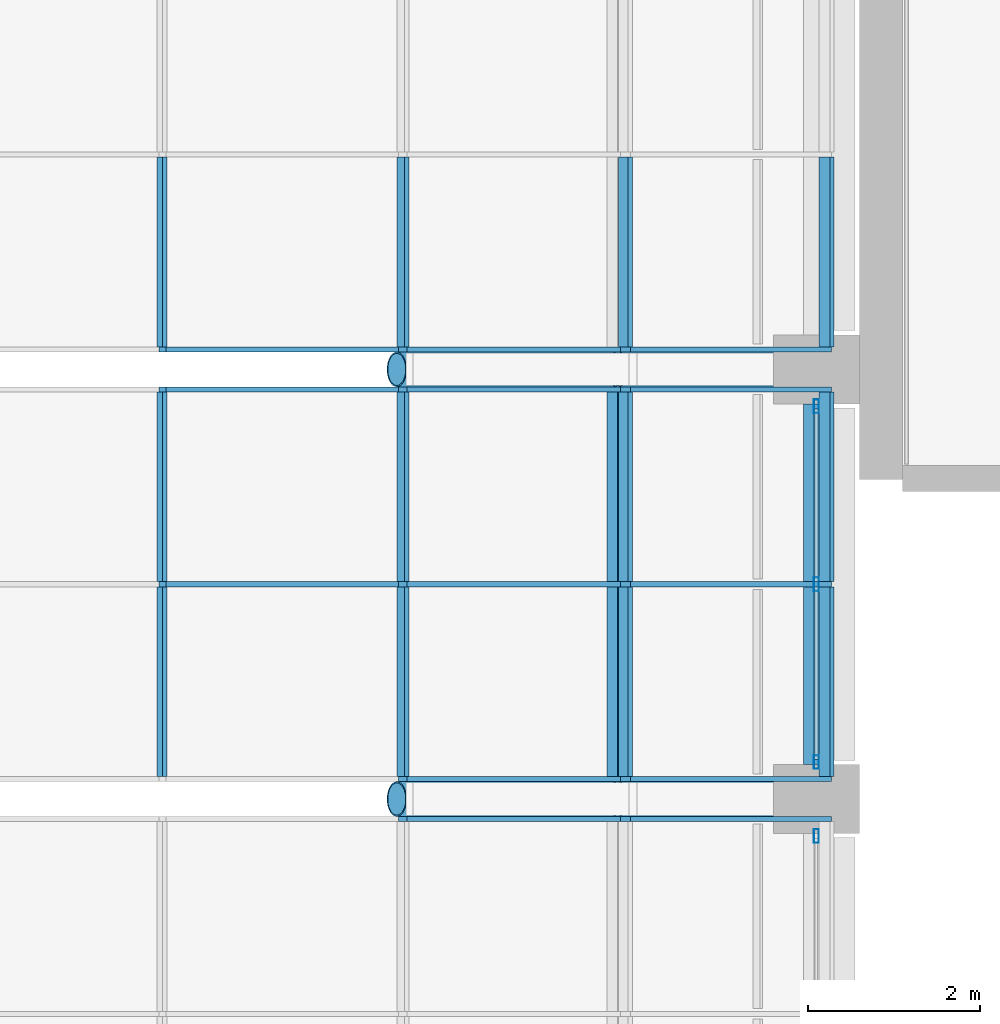
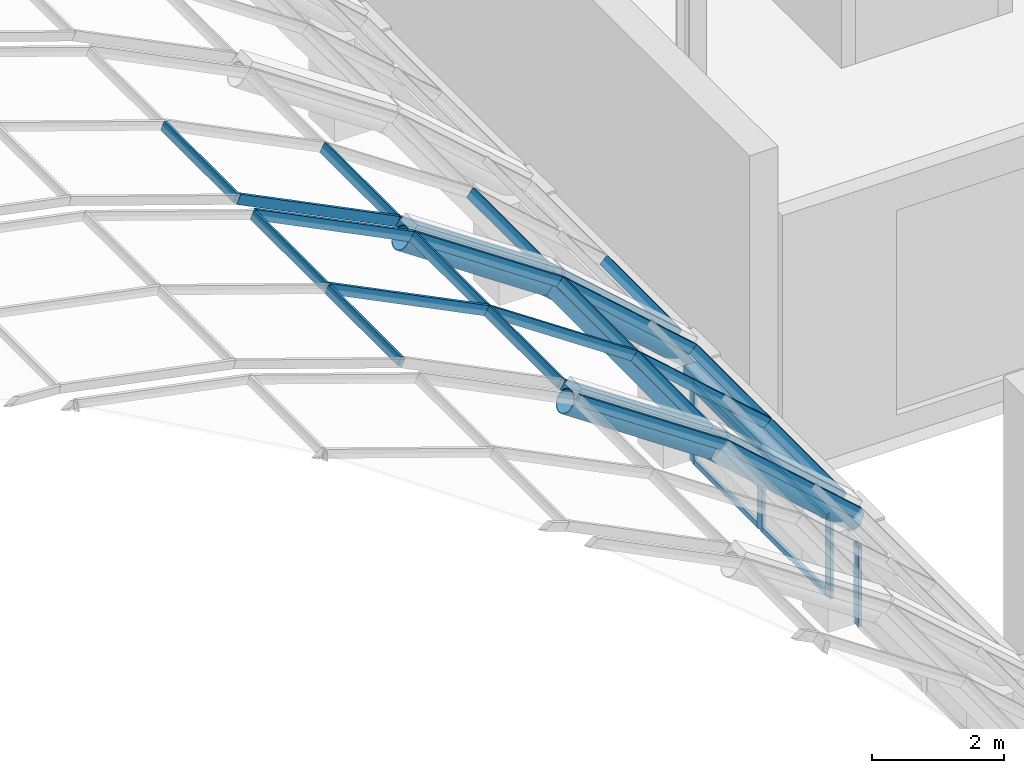
# One storey, part 57 of 182: 38 members, 1 beam, 5 elements without a shape of their own.
"""IFC4 building model written with IfcOpenShell, lengths in metres."""

from ifc_helpers import new_model, si_unit, direction, frame, origin, origin_2d, place, context, subcontext, project, spatial, rectangle, hollow_rectangle, hollow_circle, extrude, material, material_profile, profile_set, type_object, element, aggregate, save


model = new_model("IFC4")

# Units and contexts
model_context = context("Model", 3, precision=1e-05, world=origin(), true_north=direction((0.0, 1.0)))
body_context = subcontext(model_context, "Body", "Model", "MODEL_VIEW")
ifc_project = project(units=[si_unit("LENGTHUNIT", "METRE"), si_unit("AREAUNIT", "SQUARE_METRE"), si_unit("VOLUMEUNIT", "CUBIC_METRE"), si_unit("PLANEANGLEUNIT", "RADIAN"), si_unit("MASSUNIT", "GRAM", prefix="KILO")], contexts=[model_context])

# Site, building, storey
site_placement = place(None, origin())
site = spatial("IfcSite", under=ifc_project, at=site_placement, CompositionType="ELEMENT")
building_placement = place(site_placement, origin())
building = spatial("IfcBuilding", under=site, at=building_placement, Name="Okhra Congress Centre", CompositionType="ELEMENT")
storey_placement = place(building_placement, frame((0.0, 0.0, 7.199951171875)))
storey = spatial("IfcBuildingStorey", under=building, at=storey_placement, Name="L01", CompositionType="ELEMENT", Elevation=7.199951171875)

# Curtain wall, members
ifc_material_1 = material(Name="Aluminium frame with triple glazing", Category="aluminium")
curtain_wall_type_1 = type_object("IfcCurtainWallType", Name="Glazed vault bay curtain wall", PredefinedType="NOTDEFINED", material=ifc_material_1)
curtain_wall_1_placement = place(storey_placement, origin())
curtain_wall_1 = element("IfcCurtainWall", 1, at=curtain_wall_1_placement, inside=storey, type_object=curtain_wall_type_1, Name="Vault glazing bay 14", PredefinedType="NOTDEFINED")
ifc_material_2 = material(Name="Aluminium alloy 6063", Category="aluminium")
ifc_material_profile_1 = material_profile(ifc_material_2, rectangle(XDim=0.06005859375, YDim=0.179931640625, at=origin_2d()), Name="AL 60x180")
ifc_profile_set_1 = profile_set([ifc_material_profile_1], Name="Aluminium alloy 6063")
member_type_1 = type_object("IfcMemberType", Name="Aluminium mullion 60x180", PredefinedType="MULLION", material=ifc_profile_set_1)
member_1_placement = place(storey_placement, frame((184.188720703125, 145.766845703125, 5.7392578125), z_axis=(0.828827846338, 0.0, -0.559503709671), x_axis=(0.0, 1.0, 0.0)))
member_1 = element("IfcMember", 2, at=member_1_placement, type_object=member_type_1, Name="Vault mullion 14.3.11", PredefinedType="MULLION", context=body_context, shape_type="SweptSolid", body=[
    extrude(rectangle(XDim=0.06005859375, YDim=0.179931640625, at=origin_2d()), origin(), (0.0, 0.0, 1.0), 3.12548828125),
])
member_2_placement = place(storey_placement, frame((186.779296875, 145.766845703125, 3.990478515625), z_axis=(0.748025229923, 0.0, -0.663670291183), x_axis=(0.0, 1.0, 0.0)))
member_2 = element("IfcMember", 3, at=member_2_placement, type_object=member_type_1, Name="Vault mullion 14.3.12", PredefinedType="MULLION", context=body_context, shape_type="SweptSolid", body=[
    extrude(rectangle(XDim=0.06005859375, YDim=0.179931640625, at=origin_2d()), origin(), (0.0, 0.0, 1.0), 3.125732421875),
])
aggregate(curtain_wall_1, [member_1, member_2])

curtain_wall_2_placement = place(storey_placement, origin())
curtain_wall_2 = element("IfcCurtainWall", 4, at=curtain_wall_2_placement, inside=storey, type_object=curtain_wall_type_1, Name="Vault glazing bay 15", PredefinedType="NOTDEFINED")
member_3_placement = place(storey_placement, frame((184.188720703125, 146.233154296875, 5.7392578125), z_axis=(0.828827846338, 0.0, -0.559503709671), x_axis=(0.0, 1.0, 0.0)))
member_3 = element("IfcMember", 5, at=member_3_placement, type_object=member_type_1, Name="Vault mullion 15.1.11", PredefinedType="MULLION", context=body_context, shape_type="SweptSolid", body=[
    extrude(rectangle(XDim=0.06005859375, YDim=0.179931640625, at=origin_2d()), origin(), (0.0, 0.0, 1.0), 3.12548828125),
])
member_4_placement = place(storey_placement, frame((186.779296875, 146.233154296875, 3.990478515625), z_axis=(0.748025229923, 0.0, -0.663670291183), x_axis=(0.0, 1.0, 0.0)))
member_4 = element("IfcMember", 6, at=member_4_placement, type_object=member_type_1, Name="Vault mullion 15.1.12", PredefinedType="MULLION", context=body_context, shape_type="SweptSolid", body=[
    extrude(rectangle(XDim=0.06005859375, YDim=0.179931640625, at=origin_2d()), origin(), (0.0, 0.0, 1.0), 3.125732421875),
])
member_5_placement = place(storey_placement, frame((181.390625, 148.5, 7.1318359375), z_axis=(0.895253656313, 0.0, -0.445556832354), x_axis=(0.0, 1.0, 0.0)))
member_5 = element("IfcMember", 7, at=member_5_placement, type_object=member_type_1, Name="Vault mullion 15.2.10", PredefinedType="MULLION", context=body_context, shape_type="SweptSolid", body=[
    extrude(rectangle(XDim=0.06005859375, YDim=0.179931640625, at=origin_2d()), origin(), (0.0, 0.0, 1.0), 3.12548828125),
])
member_6_placement = place(storey_placement, frame((184.188720703125, 148.5, 5.7392578125), z_axis=(0.828827846338, 0.0, -0.559503709671), x_axis=(0.0, 1.0, 0.0)))
member_6 = element("IfcMember", 8, at=member_6_placement, type_object=member_type_1, Name="Vault mullion 15.2.11", PredefinedType="MULLION", context=body_context, shape_type="SweptSolid", body=[
    extrude(rectangle(XDim=0.06005859375, YDim=0.179931640625, at=origin_2d()), origin(), (0.0, 0.0, 1.0), 3.12548828125),
])
member_7_placement = place(storey_placement, frame((186.779296875, 148.5, 3.990478515625), z_axis=(0.748025229923, 0.0, -0.663670291183), x_axis=(0.0, 1.0, 0.0)))
member_7 = element("IfcMember", 9, at=member_7_placement, type_object=member_type_1, Name="Vault mullion 15.2.12", PredefinedType="MULLION", context=body_context, shape_type="SweptSolid", body=[
    extrude(rectangle(XDim=0.06005859375, YDim=0.179931640625, at=origin_2d()), origin(), (0.0, 0.0, 1.0), 3.125732421875),
])
member_8_placement = place(storey_placement, frame((181.390625, 150.766845703125, 7.1318359375), z_axis=(0.895253656313, 0.0, -0.445556832354), x_axis=(0.0, 1.0, 0.0)))
member_8 = element("IfcMember", 10, at=member_8_placement, type_object=member_type_1, Name="Vault mullion 15.3.10", PredefinedType="MULLION", context=body_context, shape_type="SweptSolid", body=[
    extrude(rectangle(XDim=0.06005859375, YDim=0.179931640625, at=origin_2d()), origin(), (0.0, 0.0, 1.0), 3.12548828125),
])
member_9_placement = place(storey_placement, frame((184.188720703125, 150.766845703125, 5.7392578125), z_axis=(0.828827846338, 0.0, -0.559503709671), x_axis=(0.0, 1.0, 0.0)))
member_9 = element("IfcMember", 11, at=member_9_placement, type_object=member_type_1, Name="Vault mullion 15.3.11", PredefinedType="MULLION", context=body_context, shape_type="SweptSolid", body=[
    extrude(rectangle(XDim=0.06005859375, YDim=0.179931640625, at=origin_2d()), origin(), (0.0, 0.0, 1.0), 3.12548828125),
])
member_10_placement = place(storey_placement, frame((186.779296875, 150.766845703125, 3.990478515625), z_axis=(0.748025229923, 0.0, -0.663670291183), x_axis=(0.0, 1.0, 0.0)))
member_10 = element("IfcMember", 12, at=member_10_placement, type_object=member_type_1, Name="Vault mullion 15.3.12", PredefinedType="MULLION", context=body_context, shape_type="SweptSolid", body=[
    extrude(rectangle(XDim=0.06005859375, YDim=0.179931640625, at=origin_2d()), origin(), (0.0, 0.0, 1.0), 3.125732421875),
])

curtain_wall_3_placement = place(storey_placement, origin())
curtain_wall_3 = element("IfcCurtainWall", 13, at=curtain_wall_3_placement, inside=storey, type_object=curtain_wall_type_1, Name="Vault glazing bay 16", PredefinedType="NOTDEFINED")
member_11_placement = place(storey_placement, frame((181.390625, 151.233154296875, 7.1318359375), z_axis=(0.895253656313, 0.0, -0.445556832354), x_axis=(0.0, 1.0, 0.0)))
member_11 = element("IfcMember", 14, at=member_11_placement, type_object=member_type_1, Name="Vault mullion 16.1.10", PredefinedType="MULLION", context=body_context, shape_type="SweptSolid", body=[
    extrude(rectangle(XDim=0.06005859375, YDim=0.179931640625, at=origin_2d()), origin(), (0.0, 0.0, 1.0), 3.12548828125),
])
member_12_placement = place(storey_placement, frame((184.188720703125, 151.233154296875, 5.7392578125), z_axis=(0.828827846338, 0.0, -0.559503709671), x_axis=(0.0, 1.0, 0.0)))
member_12 = element("IfcMember", 15, at=member_12_placement, type_object=member_type_1, Name="Vault mullion 16.1.11", PredefinedType="MULLION", context=body_context, shape_type="SweptSolid", body=[
    extrude(rectangle(XDim=0.06005859375, YDim=0.179931640625, at=origin_2d()), origin(), (0.0, 0.0, 1.0), 3.12548828125),
])
member_13_placement = place(storey_placement, frame((186.779296875, 151.233154296875, 3.990478515625), z_axis=(0.748025229923, 0.0, -0.663670291183), x_axis=(0.0, 1.0, 0.0)))
member_13 = element("IfcMember", 16, at=member_13_placement, type_object=member_type_1, Name="Vault mullion 16.1.12", PredefinedType="MULLION", context=body_context, shape_type="SweptSolid", body=[
    extrude(rectangle(XDim=0.06005859375, YDim=0.179931640625, at=origin_2d()), origin(), (0.0, 0.0, 1.0), 3.125732421875),
])

# Member
ifc_material_profile_2 = material_profile(ifc_material_2, rectangle(XDim=0.06005859375, YDim=0.159912109375, at=origin_2d()), Name="AL 60x160 transom")
ifc_profile_set_2 = profile_set([ifc_material_profile_2], Name="Aluminium alloy 6063")
member_type_2 = type_object("IfcMemberType", Name="Aluminium transom 60x160", PredefinedType="USERDEFINED", material=ifc_profile_set_2)
member_14_placement = place(storey_placement, frame((181.38671875, 146.26318359375, 7.12255859375), z_axis=(0.0, 1.0, 0.0), x_axis=(-0.922668973833, 0.0, 0.38559300399)))
member_14 = element("IfcMember", 17, at=member_14_placement, type_object=member_type_2, Name="Vault transom 15.1.10", ObjectType="TRANSOM", PredefinedType="USERDEFINED", context=body_context, shape_type="SweptSolid", body=[
    extrude(rectangle(XDim=0.06005859375, YDim=0.159912109375, at=origin_2d()), origin(), (0.0, 0.0, 1.0), 2.206787109375),
])

member_15_placement = place(storey_placement, frame((181.38671875, 148.530029296875, 7.12255859375), z_axis=(0.0, 1.0, 0.0), x_axis=(-0.922668973833, 0.0, 0.38559300399)))
member_15 = element("IfcMember", 18, at=member_15_placement, type_object=member_type_2, Name="Vault transom 15.2.10", ObjectType="TRANSOM", PredefinedType="USERDEFINED", context=body_context, shape_type="SweptSolid", body=[
    extrude(rectangle(XDim=0.06005859375, YDim=0.159912109375, at=origin_2d()), origin(), (0.0, 0.0, 1.0), 2.206787109375),
])

member_16_placement = place(storey_placement, frame((181.38671875, 151.26318359375, 7.12255859375), z_axis=(0.0, 1.0, 0.0), x_axis=(-0.922668973833, 0.0, 0.38559300399)))
member_16 = element("IfcMember", 19, at=member_16_placement, type_object=member_type_2, Name="Vault transom 16.1.10", ObjectType="TRANSOM", PredefinedType="USERDEFINED", context=body_context, shape_type="SweptSolid", body=[
    extrude(rectangle(XDim=0.06005859375, YDim=0.159912109375, at=origin_2d()), origin(), (0.0, 0.0, 1.0), 2.206787109375),
])

ifc_material_profile_3 = material_profile(ifc_material_2, rectangle(XDim=0.06005859375, YDim=0.179931640625, at=origin_2d()), Name="AL 60x180 transom")
ifc_profile_set_3 = profile_set([ifc_material_profile_3], Name="Aluminium alloy 6063")
member_type_3 = type_object("IfcMemberType", Name="Aluminium transom 60x180", PredefinedType="USERDEFINED", material=ifc_profile_set_3)
member_17_placement = place(storey_placement, frame((184.188720703125, 146.26318359375, 5.7392578125), z_axis=(0.0, 1.0, 0.0), x_axis=(-0.86391685861, 0.0, 0.503634452167)))
member_17 = element("IfcMember", 20, at=member_17_placement, type_object=member_type_3, Name="Vault transom 15.1.11", ObjectType="TRANSOM", PredefinedType="USERDEFINED", context=body_context, shape_type="SweptSolid", body=[
    extrude(rectangle(XDim=0.06005859375, YDim=0.179931640625, at=origin_2d()), origin(), (0.0, 0.0, 1.0), 2.206787109375),
])

member_18_placement = place(storey_placement, frame((186.779296875, 146.26318359375, 3.990478515625), z_axis=(0.0, 1.0, 0.0), x_axis=(-0.790145035185, 0.0, 0.612919915954)))
member_18 = element("IfcMember", 21, at=member_18_placement, type_object=member_type_3, Name="Vault transom 15.1.12", ObjectType="TRANSOM", PredefinedType="USERDEFINED", context=body_context, shape_type="SweptSolid", body=[
    extrude(rectangle(XDim=0.06005859375, YDim=0.179931640625, at=origin_2d()), origin(), (0.0, 0.0, 1.0), 2.206787109375),
])

member_19_placement = place(storey_placement, frame((189.117431640625, 146.26318359375, 1.916015625), z_axis=(0.0, 1.0, 0.0), x_axis=(-0.702636070549, 0.0, 0.711549402616)))
member_19 = element("IfcMember", 22, at=member_19_placement, type_object=member_type_3, Name="Vault transom 15.1.13", ObjectType="TRANSOM", PredefinedType="USERDEFINED", context=body_context, shape_type="SweptSolid", body=[
    extrude(rectangle(XDim=0.06005859375, YDim=0.179931640625, at=origin_2d()), origin(), (0.0, 0.0, 1.0), 2.206787109375),
])

member_20_placement = place(storey_placement, frame((184.188720703125, 148.530029296875, 5.7392578125), z_axis=(0.0, 1.0, 0.0), x_axis=(-0.86391685861, 0.0, 0.503634452167)))
member_20 = element("IfcMember", 23, at=member_20_placement, type_object=member_type_3, Name="Vault transom 15.2.11", ObjectType="TRANSOM", PredefinedType="USERDEFINED", context=body_context, shape_type="SweptSolid", body=[
    extrude(rectangle(XDim=0.06005859375, YDim=0.179931640625, at=origin_2d()), origin(), (0.0, 0.0, 1.0), 2.206787109375),
])

member_21_placement = place(storey_placement, frame((186.779296875, 148.530029296875, 3.990478515625), z_axis=(0.0, 1.0, 0.0), x_axis=(-0.790145035185, 0.0, 0.612919915954)))
member_21 = element("IfcMember", 24, at=member_21_placement, type_object=member_type_3, Name="Vault transom 15.2.12", ObjectType="TRANSOM", PredefinedType="USERDEFINED", context=body_context, shape_type="SweptSolid", body=[
    extrude(rectangle(XDim=0.06005859375, YDim=0.179931640625, at=origin_2d()), origin(), (0.0, 0.0, 1.0), 2.206787109375),
])

member_22_placement = place(storey_placement, frame((189.117431640625, 148.530029296875, 1.916015625), z_axis=(0.0, 1.0, 0.0), x_axis=(-0.702636070549, 0.0, 0.711549402616)))
member_22 = element("IfcMember", 25, at=member_22_placement, type_object=member_type_3, Name="Vault transom 15.2.13", ObjectType="TRANSOM", PredefinedType="USERDEFINED", context=body_context, shape_type="SweptSolid", body=[
    extrude(rectangle(XDim=0.06005859375, YDim=0.179931640625, at=origin_2d()), origin(), (0.0, 0.0, 1.0), 2.206787109375),
])

aggregate(curtain_wall_2, [member_3, member_4, member_5, member_6, member_7, member_8, member_9, member_10, member_14, member_17, member_18, member_19, member_15, member_20, member_21, member_22])

member_23_placement = place(storey_placement, frame((184.188720703125, 151.26318359375, 5.7392578125), z_axis=(0.0, 1.0, 0.0), x_axis=(-0.86391685861, 0.0, 0.503634452167)))
member_23 = element("IfcMember", 26, at=member_23_placement, type_object=member_type_3, Name="Vault transom 16.1.11", ObjectType="TRANSOM", PredefinedType="USERDEFINED", context=body_context, shape_type="SweptSolid", body=[
    extrude(rectangle(XDim=0.06005859375, YDim=0.179931640625, at=origin_2d()), origin(), (0.0, 0.0, 1.0), 2.206787109375),
])

member_24_placement = place(storey_placement, frame((186.779296875, 151.26318359375, 3.990478515625), z_axis=(0.0, 1.0, 0.0), x_axis=(-0.790145035185, 0.0, 0.612919915954)))
member_24 = element("IfcMember", 27, at=member_24_placement, type_object=member_type_3, Name="Vault transom 16.1.12", ObjectType="TRANSOM", PredefinedType="USERDEFINED", context=body_context, shape_type="SweptSolid", body=[
    extrude(rectangle(XDim=0.06005859375, YDim=0.179931640625, at=origin_2d()), origin(), (0.0, 0.0, 1.0), 2.206787109375),
])

member_25_placement = place(storey_placement, frame((189.117431640625, 151.26318359375, 1.916015625), z_axis=(0.0, 1.0, 0.0), x_axis=(-0.702636070549, 0.0, 0.711549402616)))
member_25 = element("IfcMember", 28, at=member_25_placement, type_object=member_type_3, Name="Vault transom 16.1.13", ObjectType="TRANSOM", PredefinedType="USERDEFINED", context=body_context, shape_type="SweptSolid", body=[
    extrude(rectangle(XDim=0.06005859375, YDim=0.179931640625, at=origin_2d()), origin(), (0.0, 0.0, 1.0), 2.206787109375),
])

aggregate(curtain_wall_3, [member_11, member_12, member_13, member_16, member_23, member_24, member_25])

# Curtain wall, member
ifc_material_3 = material(Name="Aluminium curtain wall, triple glazing", Category="aluminium")
curtain_wall_type_2 = type_object("IfcCurtainWallType", Name="Curtain wall 2100 module", PredefinedType="NOTDEFINED", material=ifc_material_3)
curtain_wall_4_placement = place(storey_placement, origin())
curtain_wall_4 = element("IfcCurtainWall", 29, at=curtain_wall_4_placement, inside=storey, type_object=curtain_wall_type_2, Name="East bay 5 clerestory glazing", PredefinedType="NOTDEFINED")
ifc_material_4 = material(Name="Aluminium alloy EN AW-6063 T66", Category="aluminium")
ifc_material_profile_4 = material_profile(ifc_material_4, hollow_rectangle(XDim=0.06005859375, YDim=0.159912109375, WallThickness=0.00390625, at=origin_2d()), Name="RHS 60x160x4")
ifc_profile_set_4 = profile_set([ifc_material_profile_4], Name="Aluminium alloy EN AW-6063 T66")
member_type_4 = type_object("IfcMemberType", Name="Curtain wall mullion 60x160", PredefinedType="MULLION", material=ifc_profile_set_4)
member_26_placement = place(storey_placement, frame((189.0, 145.570068359375, 0.0), z_axis=(0.0, 0.0, 1.0), x_axis=(-1.0, 0.0, 0.0)))
member_26 = element("IfcMember", 30, at=member_26_placement, type_object=member_type_4, Name="CW4 mullion 3", PredefinedType="MULLION", context=body_context, shape_type="SweptSolid", body=[
    extrude(hollow_rectangle(XDim=0.06005859375, YDim=0.159912109375, WallThickness=0.00390625, at=origin_2d()), origin(), (0.0, 0.0, 1.0), 1.5),
])
aggregate(curtain_wall_4, [member_26])

# Curtain wall, members
curtain_wall_5_placement = place(storey_placement, origin())
curtain_wall_5 = element("IfcCurtainWall", 31, at=curtain_wall_5_placement, inside=storey, type_object=curtain_wall_type_2, Name="East bay 6 clerestory glazing", PredefinedType="NOTDEFINED")
member_27_placement = place(storey_placement, frame((189.0, 146.429931640625, 0.0), z_axis=(0.0, 0.0, 1.0), x_axis=(-1.0, 0.0, 0.0)))
member_27 = element("IfcMember", 32, at=member_27_placement, type_object=member_type_4, Name="CW4 mullion 1", PredefinedType="MULLION", context=body_context, shape_type="SweptSolid", body=[
    extrude(hollow_rectangle(XDim=0.06005859375, YDim=0.159912109375, WallThickness=0.00390625, at=origin_2d()), origin(), (0.0, 0.0, 1.0), 1.5),
])
member_28_placement = place(storey_placement, frame((189.0, 148.5, 0.0), z_axis=(0.0, 0.0, 1.0), x_axis=(-1.0, 0.0, 0.0)))
member_28 = element("IfcMember", 33, at=member_28_placement, type_object=member_type_4, Name="CW4 mullion 2", PredefinedType="MULLION", context=body_context, shape_type="SweptSolid", body=[
    extrude(hollow_rectangle(XDim=0.06005859375, YDim=0.159912109375, WallThickness=0.00390625, at=origin_2d()), origin(), (0.0, 0.0, 1.0), 1.5),
])
member_29_placement = place(storey_placement, frame((189.0, 150.570068359375, 0.0), z_axis=(0.0, 0.0, 1.0), x_axis=(-1.0, 0.0, 0.0)))
member_29 = element("IfcMember", 34, at=member_29_placement, type_object=member_type_4, Name="CW4 mullion 3", PredefinedType="MULLION", context=body_context, shape_type="SweptSolid", body=[
    extrude(hollow_rectangle(XDim=0.06005859375, YDim=0.159912109375, WallThickness=0.00390625, at=origin_2d()), origin(), (0.0, 0.0, 1.0), 1.5),
])
ifc_material_profile_5 = material_profile(ifc_material_4, hollow_rectangle(XDim=0.06005859375, YDim=0.10009765625, WallThickness=0.00390625, at=origin_2d()), Name="RHS 60x100x4")
ifc_profile_set_5 = profile_set([ifc_material_profile_5], Name="Aluminium alloy EN AW-6063 T66")
member_type_5 = type_object("IfcMemberType", Name="Curtain wall transom 60x100", PredefinedType="USERDEFINED", material=ifc_profile_set_5)
member_30_placement = place(storey_placement, frame((189.0, 146.4599609375, 0.030029296875), z_axis=(0.0, 1.0, 0.0), x_axis=(-1.0, 0.0, 0.0)))
member_30 = element("IfcMember", 35, at=member_30_placement, type_object=member_type_5, Name="CW4 transom 1.1", ObjectType="TRANSOM", PredefinedType="USERDEFINED", context=body_context, shape_type="SweptSolid", body=[
    extrude(hollow_rectangle(XDim=0.06005859375, YDim=0.10009765625, WallThickness=0.00390625, at=origin_2d()), origin(), (0.0, 0.0, 1.0), 2.010009765625),
])
member_31_placement = place(storey_placement, frame((189.0, 146.4599609375, 1.469970703125), z_axis=(0.0, 1.0, 0.0), x_axis=(-1.0, 0.0, 0.0)))
member_31 = element("IfcMember", 36, at=member_31_placement, type_object=member_type_5, Name="CW4 transom 1.2", ObjectType="TRANSOM", PredefinedType="USERDEFINED", context=body_context, shape_type="SweptSolid", body=[
    extrude(hollow_rectangle(XDim=0.06005859375, YDim=0.10009765625, WallThickness=0.00390625, at=origin_2d()), origin(), (0.0, 0.0, 1.0), 2.010009765625),
])
member_32_placement = place(storey_placement, frame((189.0, 148.530029296875, 0.030029296875), z_axis=(0.0, 1.0, 0.0), x_axis=(-1.0, 0.0, 0.0)))
member_32 = element("IfcMember", 37, at=member_32_placement, type_object=member_type_5, Name="CW4 transom 2.1", ObjectType="TRANSOM", PredefinedType="USERDEFINED", context=body_context, shape_type="SweptSolid", body=[
    extrude(hollow_rectangle(XDim=0.06005859375, YDim=0.10009765625, WallThickness=0.00390625, at=origin_2d()), origin(), (0.0, 0.0, 1.0), 2.010009765625),
])
member_33_placement = place(storey_placement, frame((189.0, 148.530029296875, 1.469970703125), z_axis=(0.0, 1.0, 0.0), x_axis=(-1.0, 0.0, 0.0)))
member_33 = element("IfcMember", 38, at=member_33_placement, type_object=member_type_5, Name="CW4 transom 2.2", ObjectType="TRANSOM", PredefinedType="USERDEFINED", context=body_context, shape_type="SweptSolid", body=[
    extrude(hollow_rectangle(XDim=0.06005859375, YDim=0.10009765625, WallThickness=0.00390625, at=origin_2d()), origin(), (0.0, 0.0, 1.0), 2.010009765625),
])
aggregate(curtain_wall_5, [member_27, member_28, member_29, member_30, member_31, member_32, member_33])

# Beam
ifc_material_5 = material(Name="Steel S355J2", Category="steel")
ifc_material_profile_6 = material_profile(ifc_material_5, hollow_rectangle(XDim=0.300048828125, YDim=0.300048828125, WallThickness=0.012451171875, at=origin_2d()), Name="RHS 300x300x12.5")
ifc_profile_set_6 = profile_set([ifc_material_profile_6], Name="Steel S355J2")
beam_type = type_object("IfcBeamType", Name="Steel eaves beam RHS 300x300x12.5", PredefinedType="BEAM", material=ifc_profile_set_6)
beam_placement = place(storey_placement, frame((189.0, 146.39990234375, 1.650146484375), z_axis=(0.0, 1.0, 0.0), x_axis=(-1.0, 0.0, 0.0)))
element("IfcBeam", 39, at=beam_placement, inside=storey, type_object=beam_type, Name="Eaves beam E15", PredefinedType="BEAM", context=body_context, shape_type="SweptSolid", body=[
    extrude(hollow_rectangle(XDim=0.300048828125, YDim=0.300048828125, WallThickness=0.012451171875, at=origin_2d()), origin(), (0.0, 0.0, 1.0), 4.2001953125),
])

# Members
ifc_material_profile_7 = material_profile(ifc_material_5, hollow_rectangle(XDim=0.10009765625, YDim=0.199951171875, WallThickness=0.008056640625, at=origin_2d()), Name="RHS 200x100x8")
ifc_profile_set_7 = profile_set([ifc_material_profile_7], Name="Steel S355J2")
member_type_6 = type_object("IfcMemberType", Name="Steel purlin RHS 200x100x8", PredefinedType="PURLIN", material=ifc_profile_set_7)
member_34_placement = place(storey_placement, frame((186.662841796875, 146.203125, 3.84033203125), z_axis=(0.0, 1.0, 0.0), x_axis=(-0.790145035185, 0.0, 0.612919915954)))
element("IfcMember", 40, at=member_34_placement, inside=storey, type_object=member_type_6, Name="Vault purlin 15.11", PredefinedType="PURLIN", context=body_context, shape_type="SweptSolid", body=[
    extrude(hollow_rectangle(XDim=0.10009765625, YDim=0.199951171875, WallThickness=0.008056640625, at=origin_2d()), origin(), (0.0, 0.0, 1.0), 4.59375),
])
ifc_material_profile_8 = material_profile(ifc_material_5, hollow_circle(Radius=0.203125, WallThickness=0.01611328125, at=origin_2d()), Name="CHS 406.4x16")
ifc_profile_set_8 = profile_set([ifc_material_profile_8], Name="Steel S355J2")
member_type_7 = type_object("IfcMemberType", Name="Tubular steel arch rib CHS 406x16", PredefinedType="USERDEFINED", material=ifc_profile_set_8)
member_35_placement = place(storey_placement, frame((184.116943359375, 146.0, 5.589111328125), z_axis=(0.82882567543, 0.0, -0.559506925558), x_axis=(0.0, 1.0, 0.0)))
element("IfcMember", 41, at=member_35_placement, inside=storey, type_object=member_type_7, Name="Arch rib 15.11", ObjectType="Arch rib", PredefinedType="USERDEFINED", context=body_context, shape_type="SweptSolid", body=[
    extrude(hollow_circle(Radius=0.203125, WallThickness=0.01611328125, at=origin_2d()), origin(), (0.0, 0.0, 1.0), 3.07666015625),
])
member_36_placement = place(storey_placement, frame((186.6884765625, 146.0, 3.85107421875), z_axis=(0.74799336374, 0.0, -0.663706205938), x_axis=(0.0, 1.0, 0.0)))
element("IfcMember", 42, at=member_36_placement, inside=storey, type_object=member_type_7, Name="Arch rib 15.12", ObjectType="Arch rib", PredefinedType="USERDEFINED", context=body_context, shape_type="SweptSolid", body=[
    extrude(hollow_circle(Radius=0.203125, WallThickness=0.01611328125, at=origin_2d()), origin(), (0.0, 0.0, 1.0), 3.3193359375),
])
member_37_placement = place(storey_placement, frame((184.116943359375, 151.0, 5.589111328125), z_axis=(0.82882567543, 0.0, -0.559506925558), x_axis=(0.0, 1.0, 0.0)))
element("IfcMember", 43, at=member_37_placement, inside=storey, type_object=member_type_7, Name="Arch rib 16.11", ObjectType="Arch rib", PredefinedType="USERDEFINED", context=body_context, shape_type="SweptSolid", body=[
    extrude(hollow_circle(Radius=0.203125, WallThickness=0.01611328125, at=origin_2d()), origin(), (0.0, 0.0, 1.0), 3.07666015625),
])
member_38_placement = place(storey_placement, frame((186.6884765625, 151.0, 3.85107421875), z_axis=(0.74799336374, 0.0, -0.663706205938), x_axis=(0.0, 1.0, 0.0)))
element("IfcMember", 44, at=member_38_placement, inside=storey, type_object=member_type_7, Name="Arch rib 16.12", ObjectType="Arch rib", PredefinedType="USERDEFINED", context=body_context, shape_type="SweptSolid", body=[
    extrude(hollow_circle(Radius=0.203125, WallThickness=0.01611328125, at=origin_2d()), origin(), (0.0, 0.0, 1.0), 3.3193359375),
])

save(model, "model.ifc")
